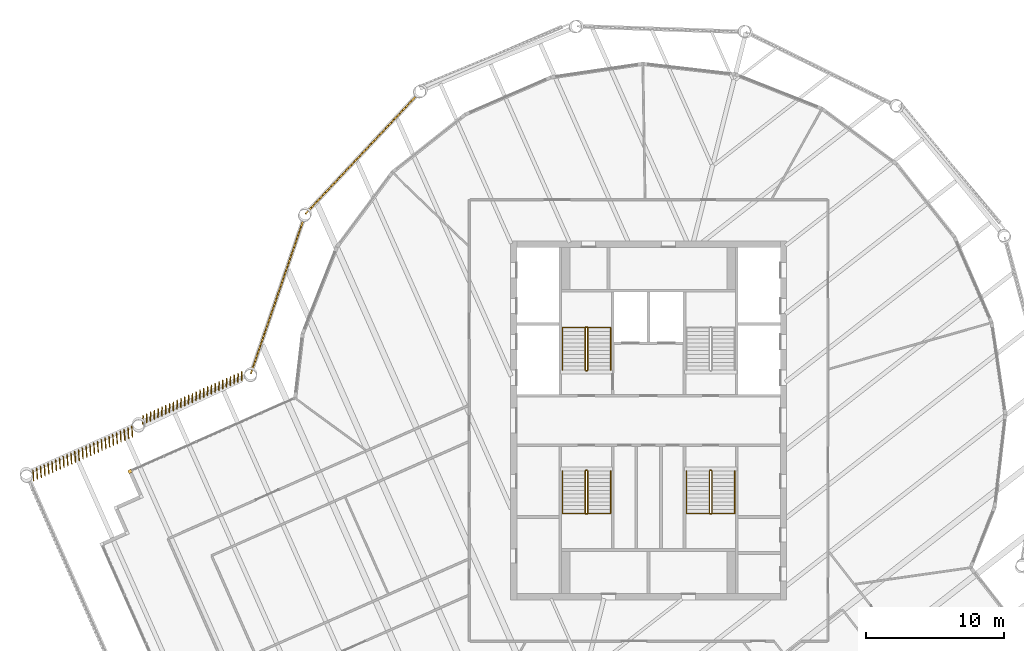
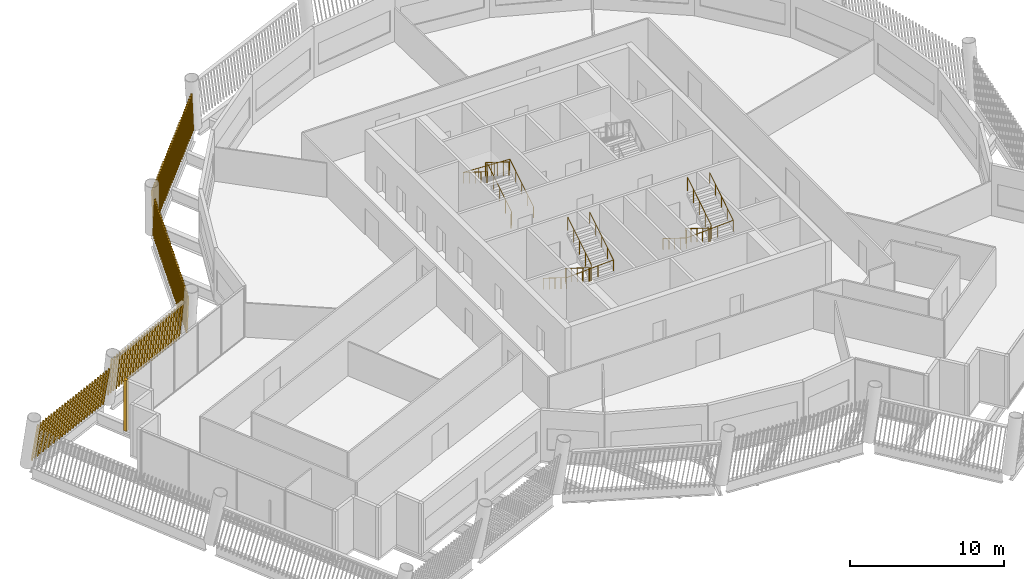
# One storey, part 25 of 28: 6 railings, 5 shading devices.
"""IFC4 building model written with IfcOpenShell, lengths in metres."""

import ifcopenshell
import ifcopenshell.guid

model = None  # the IFC model being written
_history = None  # IfcOwnerHistory: only IFC2X3 demands one
_inside = {}  # id of a spatial element -> (the spatial element, [elements in it])
_under = {}  # id of a project, library or spatial element -> (it, [spatial elements below it])
_declared = {}  # id of a project -> (the project, [libraries it declares])
_typed = {}  # id of a type object -> (the type object, [elements of that type])
_made_of = {}  # id of a material, layer set ... -> (it, [elements and type objects made of it])


def new_model(schema):
    """Start an empty IFC model of exactly this schema.

    Asked for "IFC4X3", IfcOpenShell would pick the latest addendum, in which some entities
    have other attributes; the version numbers below select the first issue.
    IFC2X3 requires an IfcOwnerHistory on every rooted entity: one is made here for all.
    """
    global model, _history
    if schema == "IFC4X3":
        model = ifcopenshell.file(schema_version=(4, 3, 0, 0))
    else:
        model = ifcopenshell.file(schema=schema)
    _inside.clear()
    _under.clear()
    _declared.clear()
    _typed.clear()
    _made_of.clear()
    _history = None
    if model.schema == "IFC2X3":
        org = make("IfcOrganization", Name="unknown")
        user = make(
            "IfcPersonAndOrganization",
            ThePerson=make("IfcPerson", FamilyName="unknown"),
            TheOrganization=org,
        )
        app = make(
            "IfcApplication",
            ApplicationDeveloper=org,
            Version="unknown",
            ApplicationFullName="unknown",
            ApplicationIdentifier="unknown",
        )
        _history = make(
            "IfcOwnerHistory",
            OwningUser=user,
            OwningApplication=app,
            ChangeAction="ADDED",
            CreationDate=0,
        )
    return model


def make(cls, **values):
    """One entity of the class cls with the attributes given. An attribute that is None is left unset."""
    return model.create_entity(
        cls, **{name: value for name, value in values.items() if value is not None}
    )


def rooted(cls, **values):
    """An entity with a GlobalId (a new one), such as an element, a storey or a relation."""
    return make(cls, GlobalId=ifcopenshell.guid.new(), OwnerHistory=_history, **values)


def si_unit(unit_type, name, prefix=None):
    """IfcSIUnit, for example si_unit("LENGTHUNIT", "METRE", prefix="MILLI")."""
    return make("IfcSIUnit", UnitType=unit_type, Prefix=prefix, Name=name)


def assignment(units):
    """IfcUnitAssignment: the units of a project."""
    return None if units is None else make("IfcUnitAssignment", Units=units)


def point(xyz):
    """IfcCartesianPoint."""
    return None if xyz is None else make("IfcCartesianPoint", Coordinates=xyz)


def direction(xyz):
    """IfcDirection."""
    return None if xyz is None else make("IfcDirection", DirectionRatios=xyz)


def frame(location, z_axis=None, x_axis=None):
    """IfcAxis2Placement3D, a coordinate frame: its origin and axes. An axis left out is left unset."""
    return make(
        "IfcAxis2Placement3D",
        Location=point(location),
        Axis=direction(z_axis),
        RefDirection=direction(x_axis),
    )


def frame_2d(location, x_axis=None):
    """IfcAxis2Placement2D, a coordinate frame in the plane: its origin and x axis."""
    return make(
        "IfcAxis2Placement2D", Location=point(location), RefDirection=direction(x_axis)
    )


def origin():
    """The frame at (0, 0, 0) with its axes left unset."""
    return frame((0.0, 0.0, 0.0))


def origin_2d():
    """The frame at (0, 0) in the plane with its x axis left unset."""
    return frame_2d((0.0, 0.0))


def place(relative_to, where):
    """IfcLocalPlacement: puts the frame where relative to a parent placement (None: the world)."""
    return make(
        "IfcLocalPlacement", PlacementRelTo=relative_to, RelativePlacement=where
    )


def context(
    kind, dimensions, precision=None, world=None, true_north=None, identifier=None
):
    """IfcGeometricRepresentationContext, for example the 3D "Model" context."""
    return make(
        "IfcGeometricRepresentationContext",
        ContextIdentifier=identifier,
        ContextType=kind,
        CoordinateSpaceDimension=dimensions,
        Precision=precision,
        WorldCoordinateSystem=world,
        TrueNorth=true_north,
    )


def subcontext(parent, identifier, kind, view, scale=None):
    """IfcGeometricRepresentationSubContext, for example "Body" below "Model"."""
    return make(
        "IfcGeometricRepresentationSubContext",
        ContextIdentifier=identifier,
        ContextType=kind,
        ParentContext=parent,
        TargetScale=scale,
        TargetView=view,
    )


def project(units=None, contexts=None):
    """IfcProject with its units and contexts."""
    return rooted(
        "IfcProject",
        Name="project",
        RepresentationContexts=contexts,
        UnitsInContext=assignment(units),
    )


def spatial(cls, under=None, at=None, **own):
    """A site, building, storey or space (cls), placed at a placement, below another one or the project."""
    s = rooted(cls, ObjectPlacement=at, **own)
    if under is not None:
        _under.setdefault(under.id(), (under, []))[1].append(s)
    return s


def profile(cls, at=None, kind="AREA", **sizes):
    """A parametric profile (cls). Its sizes go by their IFC names, for example OverallWidth=200.0."""
    return make(cls, ProfileType=kind, Position=at, **sizes)


def rectangle(**sizes):
    """IfcRectangleProfileDef."""
    return profile("IfcRectangleProfileDef", **sizes)


def circle(**sizes):
    """IfcCircleProfileDef."""
    return profile("IfcCircleProfileDef", **sizes)


def composite_profile(profiles, kind="AREA"):
    """IfcCompositeProfileDef: several profiles as one."""
    return make("IfcCompositeProfileDef", ProfileType=kind, Profiles=profiles)


def extrude(swept, where, along, depth):
    """IfcExtrudedAreaSolid: the profile swept, set in the frame where, extruded along a direction by depth."""
    return make(
        "IfcExtrudedAreaSolid",
        SweptArea=swept,
        Position=where,
        ExtrudedDirection=direction(along),
        Depth=depth,
    )


def shape(context_of_items, identifier, shape_type, items):
    """IfcShapeRepresentation: the items that make up one representation, for example the "Body"."""
    return make(
        "IfcShapeRepresentation",
        ContextOfItems=context_of_items,
        RepresentationIdentifier=identifier,
        RepresentationType=shape_type,
        Items=items,
    )


def material(Name=None, Category=None):
    """IfcMaterial."""
    return make("IfcMaterial", Name=Name, Category=Category)


def made_of(thing, what):
    """Note that an element or type object is made of a material, layer set ...; save() writes the relation."""
    if what is not None:
        _made_of.setdefault(what.id(), (what, []))[1].append(thing)
    return thing


def type_object(cls, material=None, **own):
    """A type object (cls), such as IfcWallType, which elements share."""
    return made_of(rooted(cls, **own), material)


def element(
    cls,
    number,
    at=None,
    inside=None,
    cuts=None,
    type_object=None,
    material=None,
    context=None,
    identifier="Body",
    shape_type=None,
    held_by="IfcProductDefinitionShape",
    body=None,
    shapes=None,
    **own,
):
    """One element of the class cls, such as IfcWall. Its Tag is "e" and its number.

    at: its placement. inside: the storey or other place that contains it. cuts: it is an
    opening in that element (IfcRelVoidsElement). A single representation is given by context,
    identifier, shape_type and body (its items); several are given by shapes. held_by: the class
    of the entity that holds the representations. save() writes the other relations.
    """
    e = rooted(cls, Tag="e%d" % number, ObjectPlacement=at, **own)
    if body is not None:
        shapes = [shape(context, identifier, shape_type, body)]
    if shapes is not None:
        e.Representation = make(held_by, Representations=shapes)
    if inside is not None:
        _inside.setdefault(inside.id(), (inside, []))[1].append(e)
    if cuts is not None:
        rooted(
            "IfcRelVoidsElement", RelatingBuildingElement=cuts, RelatedOpeningElement=e
        )
    if type_object is not None:
        _typed.setdefault(type_object.id(), (type_object, []))[1].append(e)
    return made_of(e, material)


def aggregate(whole, parts):
    """IfcRelAggregates: a whole, such as a stair, and the parts it consists of."""
    return rooted("IfcRelAggregates", RelatingObject=whole, RelatedObjects=parts)


def save(model, path):
    """Write the relations noted so far, then the file.

    IfcRelAggregates (storeys below a building ...), IfcRelContainedInSpatialStructure (elements
    in a storey), IfcRelDefinesByType, IfcRelAssociatesMaterial and IfcRelDeclares: one each for
    every whole, place, type object, material and project.
    """
    for whole, parts in _under.values():
        aggregate(whole, parts)
    for where, things in _inside.values():
        rooted(
            "IfcRelContainedInSpatialStructure",
            RelatedElements=things,
            RelatingStructure=where,
        )
    for kind, things in _typed.values():
        rooted("IfcRelDefinesByType", RelatedObjects=things, RelatingType=kind)
    for what, things in _made_of.values():
        rooted("IfcRelAssociatesMaterial", RelatedObjects=things, RelatingMaterial=what)
    for by, libraries in _declared.values():
        rooted("IfcRelDeclares", RelatingContext=by, RelatedDefinitions=libraries)
    model.write(path)


model = new_model("IFC4")

# Units and contexts
model_context = context("Model", 3, precision=1e-05, world=origin(), true_north=direction((0.0, 1.0)))
body_context = subcontext(model_context, "Body", "Model", "MODEL_VIEW")
ifc_project = project(units=[si_unit("LENGTHUNIT", "METRE"), si_unit("AREAUNIT", "SQUARE_METRE"), si_unit("VOLUMEUNIT", "CUBIC_METRE"), si_unit("PLANEANGLEUNIT", "RADIAN"), si_unit("MASSUNIT", "GRAM", prefix="KILO")], contexts=[model_context])

# Site, building, storey
site_placement = place(None, origin())
site = spatial("IfcSite", under=ifc_project, at=site_placement, CompositionType="ELEMENT")
building_placement = place(site_placement, origin())
building = spatial("IfcBuilding", under=site, at=building_placement, Name="Tarsis Ring Headquarters", CompositionType="ELEMENT")
storey_placement = place(building_placement, frame((0.0, 0.0, 381.800048828125)))
storey = spatial("IfcBuildingStorey", under=building, at=storey_placement, Name="L90", CompositionType="ELEMENT", Elevation=381.800048828125)

# Railings
ifc_material_1 = material(Name="Steel S355", Category="steel")
railing_type_1 = type_object("IfcRailingType", Name="Core stair guard 1100", PredefinedType="GUARDRAIL", material=ifc_material_1)
railing_1_placement = place(storey_placement, frame((-4.5400390625, 3.610107421875, 0.0)))
element("IfcRailing", 1, at=railing_1_placement, inside=storey, type_object=railing_type_1, Name="L90 ST1 stair guard 1", PredefinedType="GUARDRAIL", context=body_context, shape_type="SweptSolid", body=[
    extrude(circle(Radius=0.02392578125, at=origin_2d()), frame((0.0, 0.0, 1.076171875), z_axis=(1.0, 0.0, 0.0), x_axis=(0.0, 1.0, 0.0)), (0.0, 0.0, 1.0), 0.080078125),
    extrude(circle(Radius=0.02392578125, at=origin_2d()), frame((0.080078125, 0.0, 1.076171875), z_axis=(0.265155923931, 0.263862480399, 0.927399011991), x_axis=(-0.705375805398, 0.708833529934, 0.0)), (0.0, 0.0, 1.0), 0.188720703125),
    extrude(circle(Radius=0.02392578125, at=origin_2d()), frame((0.130126953125, 0.0498046875, 1.2509765625), z_axis=(0.0, 0.848028513186, 0.529950602248), x_axis=(-1.0, 0.0, 0.0)), (0.0, 0.0, 1.0), 3.632080078125),
    extrude(circle(Radius=0.02392578125, at=origin_2d()), frame((0.130126953125, 3.1298828125, 3.17578125), z_axis=(-0.707106781187, 0.707106781187, 0.0), x_axis=(-0.707106781187, -0.707106781187, 0.0)), (0.0, 0.0, 1.0), 0.07080078125),
    extrude(circle(Radius=0.02392578125, at=origin_2d()), frame((0.080078125, 3.179931640625, 3.17578125), z_axis=(-1.0, 0.0, 0.0), x_axis=(0.0, -1.0, 0.0)), (0.0, 0.0, 1.0), 0.080078125),
    extrude(circle(Radius=0.02392578125, at=origin_2d()), frame((0.0, 3.179931640625, 3.17578125), z_axis=(-0.265065253269, -0.265065253269, 0.927081885822), x_axis=(0.707106781187, -0.707106781187, 0.0)), (0.0, 0.0, 1.0), 0.188720703125),
    extrude(circle(Radius=0.02392578125, at=origin_2d()), frame((-0.050048828125, 3.1298828125, 3.35107421875), z_axis=(0.0, -0.847998304005, 0.529998940003), x_axis=(1.0, 0.0, 0.0)), (0.0, 0.0, 1.0), 3.632080078125),
    extrude(circle(Radius=0.02099609375, at=origin_2d()), origin(), (0.0, 0.0, 1.0), 1.052001953125),
    extrude(circle(Radius=0.02099609375, at=origin_2d()), frame((0.080078125, 0.0, 0.0)), (0.0, 0.0, 1.0), 1.052001953125),
    extrude(circle(Radius=0.02099609375, at=origin_2d()), frame((0.130126953125, 0.0498046875, 0.175048828125)), (0.0, 0.0, 1.0), 1.052001953125),
    extrude(circle(Radius=0.02099609375, at=origin_2d()), frame((0.130126953125, 0.81982421875, 0.65625)), (0.0, 0.0, 1.0), 1.052001953125),
    extrude(circle(Radius=0.02099609375, at=origin_2d()), frame((0.130126953125, 1.58984375, 1.137451171875)), (0.0, 0.0, 1.0), 1.052001953125),
    extrude(circle(Radius=0.02099609375, at=origin_2d()), frame((0.130126953125, 2.35986328125, 1.61865234375)), (0.0, 0.0, 1.0), 1.052001953125),
    extrude(circle(Radius=0.02099609375, at=origin_2d()), frame((0.130126953125, 3.1298828125, 2.099853515625)), (0.0, 0.0, 1.0), 1.052001953125),
    extrude(circle(Radius=0.02099609375, at=origin_2d()), frame((0.080078125, 3.179931640625, 2.099853515625)), (0.0, 0.0, 1.0), 1.052001953125),
    extrude(circle(Radius=0.02099609375, at=origin_2d()), frame((0.0, 3.179931640625, 2.099853515625)), (0.0, 0.0, 1.0), 1.052001953125),
    extrude(circle(Radius=0.02099609375, at=origin_2d()), frame((-0.050048828125, 3.1298828125, 2.27490234375)), (0.0, 0.0, 1.0), 1.052001953125),
    extrude(circle(Radius=0.02099609375, at=origin_2d()), frame((-0.050048828125, 2.35986328125, 2.756103515625)), (0.0, 0.0, 1.0), 1.052001953125),
    extrude(circle(Radius=0.02099609375, at=origin_2d()), frame((-0.050048828125, 1.58984375, 3.2373046875)), (0.0, 0.0, 1.0), 1.052001953125),
    extrude(circle(Radius=0.02099609375, at=origin_2d()), frame((-0.050048828125, 0.81982421875, 3.71875)), (0.0, 0.0, 1.0), 1.052001953125),
    extrude(circle(Radius=0.02099609375, at=origin_2d()), frame((-0.050048828125, 0.0498046875, 4.199951171875)), (0.0, 0.0, 1.0), 1.052001953125),
])
railing_2_placement = place(storey_placement, frame((-4.4599609375, -3.610107421875, 0.0)))
element("IfcRailing", 2, at=railing_2_placement, inside=storey, type_object=railing_type_1, Name="L90 ST3 stair guard 1", PredefinedType="GUARDRAIL", context=body_context, shape_type="SweptSolid", body=[
    extrude(circle(Radius=0.02392578125, at=origin_2d()), frame((0.0, 0.0, 1.076171875), z_axis=(-1.0, 0.0, 0.0), x_axis=(0.0, -1.0, 0.0)), (0.0, 0.0, 1.0), 0.080078125),
    extrude(circle(Radius=0.02392578125, at=origin_2d()), frame((-0.080078125, 0.0, 1.076171875), z_axis=(-0.265155923931, -0.263862480399, 0.927399011991), x_axis=(0.705375805398, -0.708833529934, 0.0)), (0.0, 0.0, 1.0), 0.188720703125),
    extrude(circle(Radius=0.02392578125, at=origin_2d()), frame((-0.130126953125, -0.0498046875, 1.2509765625), z_axis=(0.0, -0.848028513186, 0.529950602248), x_axis=(1.0, 0.0, 0.0)), (0.0, 0.0, 1.0), 3.632080078125),
    extrude(circle(Radius=0.02392578125, at=origin_2d()), frame((-0.130126953125, -3.1298828125, 3.17578125), z_axis=(0.707106781187, -0.707106781187, 0.0), x_axis=(0.707106781187, 0.707106781187, 0.0)), (0.0, 0.0, 1.0), 0.07080078125),
    extrude(circle(Radius=0.02392578125, at=origin_2d()), frame((-0.080078125, -3.179931640625, 3.17578125), z_axis=(1.0, 0.0, 0.0), x_axis=(0.0, 1.0, 0.0)), (0.0, 0.0, 1.0), 0.080078125),
    extrude(circle(Radius=0.02392578125, at=origin_2d()), frame((0.0, -3.179931640625, 3.17578125), z_axis=(0.265065253269, 0.265065253269, 0.927081885822), x_axis=(-0.707106781187, 0.707106781187, 0.0)), (0.0, 0.0, 1.0), 0.188720703125),
    extrude(circle(Radius=0.02392578125, at=origin_2d()), frame((0.050048828125, -3.1298828125, 3.35107421875), z_axis=(0.0, 0.847998304005, 0.529998940003), x_axis=(-1.0, 0.0, 0.0)), (0.0, 0.0, 1.0), 3.632080078125),
    extrude(circle(Radius=0.02099609375, at=origin_2d()), origin(), (0.0, 0.0, 1.0), 1.052001953125),
    extrude(circle(Radius=0.02099609375, at=origin_2d()), frame((-0.080078125, 0.0, 0.0)), (0.0, 0.0, 1.0), 1.052001953125),
    extrude(circle(Radius=0.02099609375, at=origin_2d()), frame((-0.130126953125, -0.0498046875, 0.175048828125)), (0.0, 0.0, 1.0), 1.052001953125),
    extrude(circle(Radius=0.02099609375, at=origin_2d()), frame((-0.130126953125, -0.81982421875, 0.65625)), (0.0, 0.0, 1.0), 1.052001953125),
    extrude(circle(Radius=0.02099609375, at=origin_2d()), frame((-0.130126953125, -1.58984375, 1.137451171875)), (0.0, 0.0, 1.0), 1.052001953125),
    extrude(circle(Radius=0.02099609375, at=origin_2d()), frame((-0.130126953125, -2.35986328125, 1.61865234375)), (0.0, 0.0, 1.0), 1.052001953125),
    extrude(circle(Radius=0.02099609375, at=origin_2d()), frame((-0.130126953125, -3.1298828125, 2.099853515625)), (0.0, 0.0, 1.0), 1.052001953125),
    extrude(circle(Radius=0.02099609375, at=origin_2d()), frame((-0.080078125, -3.179931640625, 2.099853515625)), (0.0, 0.0, 1.0), 1.052001953125),
    extrude(circle(Radius=0.02099609375, at=origin_2d()), frame((0.0, -3.179931640625, 2.099853515625)), (0.0, 0.0, 1.0), 1.052001953125),
    extrude(circle(Radius=0.02099609375, at=origin_2d()), frame((0.050048828125, -3.1298828125, 2.27490234375)), (0.0, 0.0, 1.0), 1.052001953125),
    extrude(circle(Radius=0.02099609375, at=origin_2d()), frame((0.050048828125, -2.35986328125, 2.756103515625)), (0.0, 0.0, 1.0), 1.052001953125),
    extrude(circle(Radius=0.02099609375, at=origin_2d()), frame((0.050048828125, -1.58984375, 3.2373046875)), (0.0, 0.0, 1.0), 1.052001953125),
    extrude(circle(Radius=0.02099609375, at=origin_2d()), frame((0.050048828125, -0.81982421875, 3.71875)), (0.0, 0.0, 1.0), 1.052001953125),
    extrude(circle(Radius=0.02099609375, at=origin_2d()), frame((0.050048828125, -0.0498046875, 4.199951171875)), (0.0, 0.0, 1.0), 1.052001953125),
])
railing_3_placement = place(storey_placement, frame((4.5400390625, -3.610107421875, 0.0)))
element("IfcRailing", 3, at=railing_3_placement, inside=storey, type_object=railing_type_1, Name="L90 ST4 stair guard 1", PredefinedType="GUARDRAIL", context=body_context, shape_type="SweptSolid", body=[
    extrude(circle(Radius=0.02392578125, at=origin_2d()), frame((0.0, 0.0, 1.076171875), z_axis=(-1.0, 0.0, 0.0), x_axis=(0.0, -1.0, 0.0)), (0.0, 0.0, 1.0), 0.080078125),
    extrude(circle(Radius=0.02392578125, at=origin_2d()), frame((-0.080078125, 0.0, 1.076171875), z_axis=(-0.265155923931, -0.263862480399, 0.927399011991), x_axis=(0.705375805398, -0.708833529934, 0.0)), (0.0, 0.0, 1.0), 0.188720703125),
    extrude(circle(Radius=0.02392578125, at=origin_2d()), frame((-0.130126953125, -0.0498046875, 1.2509765625), z_axis=(0.0, -0.848028513186, 0.529950602248), x_axis=(1.0, 0.0, 0.0)), (0.0, 0.0, 1.0), 3.632080078125),
    extrude(circle(Radius=0.02392578125, at=origin_2d()), frame((-0.130126953125, -3.1298828125, 3.17578125), z_axis=(0.707106781187, -0.707106781187, 0.0), x_axis=(0.707106781187, 0.707106781187, 0.0)), (0.0, 0.0, 1.0), 0.07080078125),
    extrude(circle(Radius=0.02392578125, at=origin_2d()), frame((-0.080078125, -3.179931640625, 3.17578125), z_axis=(1.0, 0.0, 0.0), x_axis=(0.0, 1.0, 0.0)), (0.0, 0.0, 1.0), 0.080078125),
    extrude(circle(Radius=0.02392578125, at=origin_2d()), frame((0.0, -3.179931640625, 3.17578125), z_axis=(0.265065253269, 0.265065253269, 0.927081885822), x_axis=(-0.707106781187, 0.707106781187, 0.0)), (0.0, 0.0, 1.0), 0.188720703125),
    extrude(circle(Radius=0.02392578125, at=origin_2d()), frame((0.050048828125, -3.1298828125, 3.35107421875), z_axis=(0.0, 0.847998304005, 0.529998940003), x_axis=(-1.0, 0.0, 0.0)), (0.0, 0.0, 1.0), 3.632080078125),
    extrude(circle(Radius=0.02099609375, at=origin_2d()), origin(), (0.0, 0.0, 1.0), 1.052001953125),
    extrude(circle(Radius=0.02099609375, at=origin_2d()), frame((-0.080078125, 0.0, 0.0)), (0.0, 0.0, 1.0), 1.052001953125),
    extrude(circle(Radius=0.02099609375, at=origin_2d()), frame((-0.130126953125, -0.0498046875, 0.175048828125)), (0.0, 0.0, 1.0), 1.052001953125),
    extrude(circle(Radius=0.02099609375, at=origin_2d()), frame((-0.130126953125, -0.81982421875, 0.65625)), (0.0, 0.0, 1.0), 1.052001953125),
    extrude(circle(Radius=0.02099609375, at=origin_2d()), frame((-0.130126953125, -1.58984375, 1.137451171875)), (0.0, 0.0, 1.0), 1.052001953125),
    extrude(circle(Radius=0.02099609375, at=origin_2d()), frame((-0.130126953125, -2.35986328125, 1.61865234375)), (0.0, 0.0, 1.0), 1.052001953125),
    extrude(circle(Radius=0.02099609375, at=origin_2d()), frame((-0.130126953125, -3.1298828125, 2.099853515625)), (0.0, 0.0, 1.0), 1.052001953125),
    extrude(circle(Radius=0.02099609375, at=origin_2d()), frame((-0.080078125, -3.179931640625, 2.099853515625)), (0.0, 0.0, 1.0), 1.052001953125),
    extrude(circle(Radius=0.02099609375, at=origin_2d()), frame((0.0, -3.179931640625, 2.099853515625)), (0.0, 0.0, 1.0), 1.052001953125),
    extrude(circle(Radius=0.02099609375, at=origin_2d()), frame((0.050048828125, -3.1298828125, 2.27490234375)), (0.0, 0.0, 1.0), 1.052001953125),
    extrude(circle(Radius=0.02099609375, at=origin_2d()), frame((0.050048828125, -2.35986328125, 2.756103515625)), (0.0, 0.0, 1.0), 1.052001953125),
    extrude(circle(Radius=0.02099609375, at=origin_2d()), frame((0.050048828125, -1.58984375, 3.2373046875)), (0.0, 0.0, 1.0), 1.052001953125),
    extrude(circle(Radius=0.02099609375, at=origin_2d()), frame((0.050048828125, -0.81982421875, 3.71875)), (0.0, 0.0, 1.0), 1.052001953125),
    extrude(circle(Radius=0.02099609375, at=origin_2d()), frame((0.050048828125, -0.0498046875, 4.199951171875)), (0.0, 0.0, 1.0), 1.052001953125),
])
railing_type_2 = type_object("IfcRailingType", Name="Core stair handrail 900", PredefinedType="HANDRAIL", material=ifc_material_1)
railing_4_placement = place(storey_placement, frame((-2.75, 3.659912109375, 0.175048828125)))
element("IfcRailing", 4, at=railing_4_placement, inside=storey, type_object=railing_type_2, Name="L90 ST1 stair handrail 1", PredefinedType="HANDRAIL", context=body_context, shape_type="SweptSolid", body=[
    extrude(circle(Radius=0.02392578125, at=origin_2d()), frame((0.0, 0.0, 0.8759765625), z_axis=(0.0, 0.848028513186, 0.529950602248), x_axis=(-1.0, 0.0, 0.0)), (0.0, 0.0, 1.0), 3.632080078125),
    extrude(circle(Radius=0.02392578125, at=origin_2d()), frame((0.0, 3.080078125, 2.80078125), z_axis=(-0.998751643845, 0.0, 0.049951515669), x_axis=(0.0, -1.0, 0.0)), (0.0, 0.0, 1.0), 3.50439453125),
    extrude(circle(Radius=0.02392578125, at=origin_2d()), frame((-3.5, 3.080078125, 2.9755859375), z_axis=(0.0, -0.847998304005, 0.529998940003), x_axis=(1.0, 0.0, 0.0)), (0.0, 0.0, 1.0), 3.632080078125),
    extrude(circle(Radius=0.02099609375, at=origin_2d()), origin(), (0.0, 0.0, 1.0), 0.851806640625),
    extrude(circle(Radius=0.02099609375, at=origin_2d()), frame((0.0, 0.77001953125, 0.481201171875)), (0.0, 0.0, 1.0), 0.851806640625),
    extrude(circle(Radius=0.02099609375, at=origin_2d()), frame((0.0, 1.5400390625, 0.96240234375)), (0.0, 0.0, 1.0), 0.851806640625),
    extrude(circle(Radius=0.02099609375, at=origin_2d()), frame((0.0, 2.31005859375, 1.443603515625)), (0.0, 0.0, 1.0), 0.851806640625),
    extrude(circle(Radius=0.02099609375, at=origin_2d()), frame((0.0, 3.080078125, 1.9248046875)), (0.0, 0.0, 1.0), 0.851806640625),
    extrude(circle(Radius=0.02099609375, at=origin_2d()), frame((-1.166748046875, 3.080078125, 1.983154296875)), (0.0, 0.0, 1.0), 0.851806640625),
    extrude(circle(Radius=0.02099609375, at=origin_2d()), frame((-2.333251953125, 3.080078125, 2.04150390625)), (0.0, 0.0, 1.0), 0.851806640625),
    extrude(circle(Radius=0.02099609375, at=origin_2d()), frame((-3.5, 3.080078125, 2.099853515625)), (0.0, 0.0, 1.0), 0.851806640625),
    extrude(circle(Radius=0.02099609375, at=origin_2d()), frame((-3.5, 2.31005859375, 2.5810546875)), (0.0, 0.0, 1.0), 0.851806640625),
    extrude(circle(Radius=0.02099609375, at=origin_2d()), frame((-3.5, 1.5400390625, 3.0625)), (0.0, 0.0, 1.0), 0.851806640625),
    extrude(circle(Radius=0.02099609375, at=origin_2d()), frame((-3.5, 0.77001953125, 3.543701171875)), (0.0, 0.0, 1.0), 0.851806640625),
    extrude(circle(Radius=0.02099609375, at=origin_2d()), frame((-3.5, 0.0, 4.02490234375)), (0.0, 0.0, 1.0), 0.851806640625),
])
railing_5_placement = place(storey_placement, frame((-6.25, -3.659912109375, 0.175048828125)))
element("IfcRailing", 5, at=railing_5_placement, inside=storey, type_object=railing_type_2, Name="L90 ST3 stair handrail 1", PredefinedType="HANDRAIL", context=body_context, shape_type="SweptSolid", body=[
    extrude(circle(Radius=0.02392578125, at=origin_2d()), frame((0.0, 0.0, 0.8759765625), z_axis=(0.0, -0.848028513186, 0.529950602248), x_axis=(1.0, 0.0, 0.0)), (0.0, 0.0, 1.0), 3.632080078125),
    extrude(circle(Radius=0.02392578125, at=origin_2d()), frame((0.0, -3.080078125, 2.80078125), z_axis=(0.998751643845, 0.0, 0.049951515669), x_axis=(0.0, 1.0, 0.0)), (0.0, 0.0, 1.0), 3.50439453125),
    extrude(circle(Radius=0.02392578125, at=origin_2d()), frame((3.5, -3.080078125, 2.9755859375), z_axis=(0.0, 0.847998304005, 0.529998940003), x_axis=(-1.0, 0.0, 0.0)), (0.0, 0.0, 1.0), 3.632080078125),
    extrude(circle(Radius=0.02099609375, at=origin_2d()), origin(), (0.0, 0.0, 1.0), 0.851806640625),
    extrude(circle(Radius=0.02099609375, at=origin_2d()), frame((0.0, -0.77001953125, 0.481201171875)), (0.0, 0.0, 1.0), 0.851806640625),
    extrude(circle(Radius=0.02099609375, at=origin_2d()), frame((0.0, -1.5400390625, 0.96240234375)), (0.0, 0.0, 1.0), 0.851806640625),
    extrude(circle(Radius=0.02099609375, at=origin_2d()), frame((0.0, -2.31005859375, 1.443603515625)), (0.0, 0.0, 1.0), 0.851806640625),
    extrude(circle(Radius=0.02099609375, at=origin_2d()), frame((0.0, -3.080078125, 1.9248046875)), (0.0, 0.0, 1.0), 0.851806640625),
    extrude(circle(Radius=0.02099609375, at=origin_2d()), frame((1.166748046875, -3.080078125, 1.983154296875)), (0.0, 0.0, 1.0), 0.851806640625),
    extrude(circle(Radius=0.02099609375, at=origin_2d()), frame((2.333251953125, -3.080078125, 2.04150390625)), (0.0, 0.0, 1.0), 0.851806640625),
    extrude(circle(Radius=0.02099609375, at=origin_2d()), frame((3.5, -3.080078125, 2.099853515625)), (0.0, 0.0, 1.0), 0.851806640625),
    extrude(circle(Radius=0.02099609375, at=origin_2d()), frame((3.5, -2.31005859375, 2.5810546875)), (0.0, 0.0, 1.0), 0.851806640625),
    extrude(circle(Radius=0.02099609375, at=origin_2d()), frame((3.5, -1.5400390625, 3.0625)), (0.0, 0.0, 1.0), 0.851806640625),
    extrude(circle(Radius=0.02099609375, at=origin_2d()), frame((3.5, -0.77001953125, 3.543701171875)), (0.0, 0.0, 1.0), 0.851806640625),
    extrude(circle(Radius=0.02099609375, at=origin_2d()), frame((3.5, 0.0, 4.02490234375)), (0.0, 0.0, 1.0), 0.851806640625),
])
railing_6_placement = place(storey_placement, frame((2.75, -3.659912109375, 0.175048828125)))
element("IfcRailing", 6, at=railing_6_placement, inside=storey, type_object=railing_type_2, Name="L90 ST4 stair handrail 1", PredefinedType="HANDRAIL", context=body_context, shape_type="SweptSolid", body=[
    extrude(circle(Radius=0.02392578125, at=origin_2d()), frame((0.0, 0.0, 0.8759765625), z_axis=(0.0, -0.848028513186, 0.529950602248), x_axis=(1.0, 0.0, 0.0)), (0.0, 0.0, 1.0), 3.632080078125),
    extrude(circle(Radius=0.02392578125, at=origin_2d()), frame((0.0, -3.080078125, 2.80078125), z_axis=(0.998751643845, 0.0, 0.049951515669), x_axis=(0.0, 1.0, 0.0)), (0.0, 0.0, 1.0), 3.50439453125),
    extrude(circle(Radius=0.02392578125, at=origin_2d()), frame((3.5, -3.080078125, 2.9755859375), z_axis=(0.0, 0.847998304005, 0.529998940003), x_axis=(-1.0, 0.0, 0.0)), (0.0, 0.0, 1.0), 3.632080078125),
    extrude(circle(Radius=0.02099609375, at=origin_2d()), origin(), (0.0, 0.0, 1.0), 0.851806640625),
    extrude(circle(Radius=0.02099609375, at=origin_2d()), frame((0.0, -0.77001953125, 0.481201171875)), (0.0, 0.0, 1.0), 0.851806640625),
    extrude(circle(Radius=0.02099609375, at=origin_2d()), frame((0.0, -1.5400390625, 0.96240234375)), (0.0, 0.0, 1.0), 0.851806640625),
    extrude(circle(Radius=0.02099609375, at=origin_2d()), frame((0.0, -2.31005859375, 1.443603515625)), (0.0, 0.0, 1.0), 0.851806640625),
    extrude(circle(Radius=0.02099609375, at=origin_2d()), frame((0.0, -3.080078125, 1.9248046875)), (0.0, 0.0, 1.0), 0.851806640625),
    extrude(circle(Radius=0.02099609375, at=origin_2d()), frame((1.166748046875, -3.080078125, 1.983154296875)), (0.0, 0.0, 1.0), 0.851806640625),
    extrude(circle(Radius=0.02099609375, at=origin_2d()), frame((2.333251953125, -3.080078125, 2.04150390625)), (0.0, 0.0, 1.0), 0.851806640625),
    extrude(circle(Radius=0.02099609375, at=origin_2d()), frame((3.5, -3.080078125, 2.099853515625)), (0.0, 0.0, 1.0), 0.851806640625),
    extrude(circle(Radius=0.02099609375, at=origin_2d()), frame((3.5, -2.31005859375, 2.5810546875)), (0.0, 0.0, 1.0), 0.851806640625),
    extrude(circle(Radius=0.02099609375, at=origin_2d()), frame((3.5, -1.5400390625, 3.0625)), (0.0, 0.0, 1.0), 0.851806640625),
    extrude(circle(Radius=0.02099609375, at=origin_2d()), frame((3.5, -0.77001953125, 3.543701171875)), (0.0, 0.0, 1.0), 0.851806640625),
    extrude(circle(Radius=0.02099609375, at=origin_2d()), frame((3.5, 0.0, 4.02490234375)), (0.0, 0.0, 1.0), 0.851806640625),
])

# Shading devices
ifc_material_2 = material(Name="Terracotta baguette", Category="masonry")
shading_device_type_1 = type_object("IfcShadingDeviceType", Name="Terracotta baguette screen", PredefinedType="USERDEFINED", material=ifc_material_2)
shading_device_1_placement = place(storey_placement, frame((-16.839599609375, 23.545166015625, 0.0), z_axis=(0.0, 0.0, 1.0), x_axis=(-0.684839934889, -0.728703201302, 0.0)))
element("IfcShadingDevice", 7, at=shading_device_1_placement, inside=storey, type_object=shading_device_type_1, Name="Baguette screen L90-11", ObjectType="Terracotta baguette screen", PredefinedType="USERDEFINED", context=body_context, shape_type="SweptSolid", body=[
    extrude(composite_profile([rectangle(XDim=0.06005859375, YDim=0.1201171875, at=frame_2d((0.030029296875, 0.0))), rectangle(XDim=0.06005859375, YDim=0.1201171875, at=frame_2d((0.33251953125, 0.0))), rectangle(XDim=0.06005859375, YDim=0.1201171875, at=frame_2d((0.634765625, 0.0))), rectangle(XDim=0.06005859375, YDim=0.1201171875, at=frame_2d((0.937255859375, 0.0))), rectangle(XDim=0.06005859375, YDim=0.1201171875, at=frame_2d((1.239501953125, 0.0))), rectangle(XDim=0.06005859375, YDim=0.1201171875, at=frame_2d((1.5419921875, 0.0))), rectangle(XDim=0.06005859375, YDim=0.1201171875, at=frame_2d((1.844482421875, 0.0))), rectangle(XDim=0.06005859375, YDim=0.1201171875, at=frame_2d((2.146728515625, 0.0))), rectangle(XDim=0.06005859375, YDim=0.1201171875, at=frame_2d((2.44921875, 0.0))), rectangle(XDim=0.06005859375, YDim=0.1201171875, at=frame_2d((2.751708984375, 0.0))), rectangle(XDim=0.06005859375, YDim=0.1201171875, at=frame_2d((3.053955078125, 0.0))), rectangle(XDim=0.06005859375, YDim=0.1201171875, at=frame_2d((3.3564453125, 0.0))), rectangle(XDim=0.06005859375, YDim=0.1201171875, at=frame_2d((3.65869140625, 0.0))), rectangle(XDim=0.06005859375, YDim=0.1201171875, at=frame_2d((3.961181640625, 0.0))), rectangle(XDim=0.06005859375, YDim=0.1201171875, at=frame_2d((4.263671875, 0.0))), rectangle(XDim=0.06005859375, YDim=0.1201171875, at=frame_2d((4.56591796875, 0.0))), rectangle(XDim=0.06005859375, YDim=0.1201171875, at=frame_2d((4.868408203125, 0.0))), rectangle(XDim=0.06005859375, YDim=0.1201171875, at=frame_2d((5.1708984375, 0.0))), rectangle(XDim=0.06005859375, YDim=0.1201171875, at=frame_2d((5.47314453125, 0.0))), rectangle(XDim=0.06005859375, YDim=0.1201171875, at=frame_2d((5.775634765625, 0.0))), rectangle(XDim=0.06005859375, YDim=0.1201171875, at=frame_2d((6.077880859375, 0.0))), rectangle(XDim=0.06005859375, YDim=0.1201171875, at=frame_2d((6.38037109375, 0.0))), rectangle(XDim=0.06005859375, YDim=0.1201171875, at=frame_2d((6.682861328125, 0.0))), rectangle(XDim=0.06005859375, YDim=0.1201171875, at=frame_2d((6.985107421875, 0.0))), rectangle(XDim=0.06005859375, YDim=0.1201171875, at=frame_2d((7.28759765625, 0.0))), rectangle(XDim=0.06005859375, YDim=0.1201171875, at=frame_2d((7.590087890625, 0.0))), rectangle(XDim=0.06005859375, YDim=0.1201171875, at=frame_2d((7.892333984375, 0.0))), rectangle(XDim=0.06005859375, YDim=0.1201171875, at=frame_2d((8.19482421875, 0.0))), rectangle(XDim=0.06005859375, YDim=0.1201171875, at=frame_2d((8.4970703125, 0.0))), rectangle(XDim=0.06005859375, YDim=0.1201171875, at=frame_2d((8.799560546875, 0.0))), rectangle(XDim=0.06005859375, YDim=0.1201171875, at=frame_2d((9.10205078125, 0.0))), rectangle(XDim=0.06005859375, YDim=0.1201171875, at=frame_2d((9.404296875, 0.0))), rectangle(XDim=0.06005859375, YDim=0.1201171875, at=frame_2d((9.706787109375, 0.0))), rectangle(XDim=0.06005859375, YDim=0.1201171875, at=frame_2d((10.00927734375, 0.0))), rectangle(XDim=0.06005859375, YDim=0.1201171875, at=frame_2d((10.3115234375, 0.0))), rectangle(XDim=0.06005859375, YDim=0.1201171875, at=frame_2d((10.614013671875, 0.0))), rectangle(XDim=0.06005859375, YDim=0.1201171875, at=frame_2d((10.916259765625, 0.0))), rectangle(XDim=0.06005859375, YDim=0.1201171875, at=frame_2d((11.21875, 0.0)))]), origin(), (0.155203896614, 0.001405507518, 0.987881457982), 3.32080078125),
])
shading_device_2_placement = place(storey_placement, frame((-25.047607421875, 14.5107421875, 0.0), z_axis=(0.0, 0.0, 1.0), x_axis=(-0.323602821487, -0.946196418882, 0.0)))
element("IfcShadingDevice", 8, at=shading_device_2_placement, inside=storey, type_object=shading_device_type_1, Name="Baguette screen L90-12", ObjectType="Terracotta baguette screen", PredefinedType="USERDEFINED", context=body_context, shape_type="SweptSolid", body=[
    extrude(composite_profile([rectangle(XDim=0.06005859375, YDim=0.1201171875, at=frame_2d((0.030029296875, 0.0))), rectangle(XDim=0.06005859375, YDim=0.1201171875, at=frame_2d((0.33251953125, 0.0))), rectangle(XDim=0.06005859375, YDim=0.1201171875, at=frame_2d((0.634765625, 0.0))), rectangle(XDim=0.06005859375, YDim=0.1201171875, at=frame_2d((0.937255859375, 0.0))), rectangle(XDim=0.06005859375, YDim=0.1201171875, at=frame_2d((1.239501953125, 0.0))), rectangle(XDim=0.06005859375, YDim=0.1201171875, at=frame_2d((1.5419921875, 0.0))), rectangle(XDim=0.06005859375, YDim=0.1201171875, at=frame_2d((1.844482421875, 0.0))), rectangle(XDim=0.06005859375, YDim=0.1201171875, at=frame_2d((2.146728515625, 0.0))), rectangle(XDim=0.06005859375, YDim=0.1201171875, at=frame_2d((2.44921875, 0.0))), rectangle(XDim=0.06005859375, YDim=0.1201171875, at=frame_2d((2.751708984375, 0.0))), rectangle(XDim=0.06005859375, YDim=0.1201171875, at=frame_2d((3.053955078125, 0.0))), rectangle(XDim=0.06005859375, YDim=0.1201171875, at=frame_2d((3.3564453125, 0.0))), rectangle(XDim=0.06005859375, YDim=0.1201171875, at=frame_2d((3.65869140625, 0.0))), rectangle(XDim=0.06005859375, YDim=0.1201171875, at=frame_2d((3.961181640625, 0.0))), rectangle(XDim=0.06005859375, YDim=0.1201171875, at=frame_2d((4.263671875, 0.0))), rectangle(XDim=0.06005859375, YDim=0.1201171875, at=frame_2d((4.56591796875, 0.0))), rectangle(XDim=0.06005859375, YDim=0.1201171875, at=frame_2d((4.868408203125, 0.0))), rectangle(XDim=0.06005859375, YDim=0.1201171875, at=frame_2d((5.1708984375, 0.0))), rectangle(XDim=0.06005859375, YDim=0.1201171875, at=frame_2d((5.47314453125, 0.0))), rectangle(XDim=0.06005859375, YDim=0.1201171875, at=frame_2d((5.775634765625, 0.0))), rectangle(XDim=0.06005859375, YDim=0.1201171875, at=frame_2d((6.077880859375, 0.0))), rectangle(XDim=0.06005859375, YDim=0.1201171875, at=frame_2d((6.38037109375, 0.0))), rectangle(XDim=0.06005859375, YDim=0.1201171875, at=frame_2d((6.682861328125, 0.0))), rectangle(XDim=0.06005859375, YDim=0.1201171875, at=frame_2d((6.985107421875, 0.0))), rectangle(XDim=0.06005859375, YDim=0.1201171875, at=frame_2d((7.28759765625, 0.0))), rectangle(XDim=0.06005859375, YDim=0.1201171875, at=frame_2d((7.590087890625, 0.0))), rectangle(XDim=0.06005859375, YDim=0.1201171875, at=frame_2d((7.892333984375, 0.0))), rectangle(XDim=0.06005859375, YDim=0.1201171875, at=frame_2d((8.19482421875, 0.0))), rectangle(XDim=0.06005859375, YDim=0.1201171875, at=frame_2d((8.4970703125, 0.0))), rectangle(XDim=0.06005859375, YDim=0.1201171875, at=frame_2d((8.799560546875, 0.0))), rectangle(XDim=0.06005859375, YDim=0.1201171875, at=frame_2d((9.10205078125, 0.0))), rectangle(XDim=0.06005859375, YDim=0.1201171875, at=frame_2d((9.404296875, 0.0))), rectangle(XDim=0.06005859375, YDim=0.1201171875, at=frame_2d((9.706787109375, 0.0))), rectangle(XDim=0.06005859375, YDim=0.1201171875, at=frame_2d((10.00927734375, 0.0))), rectangle(XDim=0.06005859375, YDim=0.1201171875, at=frame_2d((10.3115234375, 0.0))), rectangle(XDim=0.06005859375, YDim=0.1201171875, at=frame_2d((10.614013671875, 0.0))), rectangle(XDim=0.06005859375, YDim=0.1201171875, at=frame_2d((10.916259765625, 0.0))), rectangle(XDim=0.06005859375, YDim=0.1201171875, at=frame_2d((11.21875, 0.0)))]), origin(), (0.15520349206, 0.001407586942, 0.98788151858), 3.32080078125),
])
shading_device_3_placement = place(storey_placement, frame((-29.458740234375, 3.5341796875, 0.0), z_axis=(0.0, 0.0, 1.0), x_axis=(-0.91411005036, -0.405474711898, 0.0)))
element("IfcShadingDevice", 9, at=shading_device_3_placement, inside=storey, type_object=shading_device_type_1, Name="Baguette screen L90-13", ObjectType="Terracotta baguette screen", PredefinedType="USERDEFINED", context=body_context, shape_type="SweptSolid", body=[
    extrude(composite_profile([rectangle(XDim=0.06005859375, YDim=0.1201171875, at=frame_2d((0.030029296875, 0.0))), rectangle(XDim=0.06005859375, YDim=0.1201171875, at=frame_2d((0.33154296875, 0.0))), rectangle(XDim=0.06005859375, YDim=0.1201171875, at=frame_2d((0.63330078125, 0.0))), rectangle(XDim=0.06005859375, YDim=0.1201171875, at=frame_2d((0.934814453125, 0.0))), rectangle(XDim=0.06005859375, YDim=0.1201171875, at=frame_2d((1.236572265625, 0.0))), rectangle(XDim=0.06005859375, YDim=0.1201171875, at=frame_2d((1.5380859375, 0.0))), rectangle(XDim=0.06005859375, YDim=0.1201171875, at=frame_2d((1.83984375, 0.0))), rectangle(XDim=0.06005859375, YDim=0.1201171875, at=frame_2d((2.141357421875, 0.0))), rectangle(XDim=0.06005859375, YDim=0.1201171875, at=frame_2d((2.443115234375, 0.0))), rectangle(XDim=0.06005859375, YDim=0.1201171875, at=frame_2d((2.74462890625, 0.0))), rectangle(XDim=0.06005859375, YDim=0.1201171875, at=frame_2d((3.04638671875, 0.0))), rectangle(XDim=0.06005859375, YDim=0.1201171875, at=frame_2d((3.347900390625, 0.0))), rectangle(XDim=0.06005859375, YDim=0.1201171875, at=frame_2d((3.649658203125, 0.0))), rectangle(XDim=0.06005859375, YDim=0.1201171875, at=frame_2d((3.951171875, 0.0))), rectangle(XDim=0.06005859375, YDim=0.1201171875, at=frame_2d((4.252685546875, 0.0))), rectangle(XDim=0.06005859375, YDim=0.1201171875, at=frame_2d((4.554443359375, 0.0))), rectangle(XDim=0.06005859375, YDim=0.1201171875, at=frame_2d((4.85595703125, 0.0))), rectangle(XDim=0.06005859375, YDim=0.1201171875, at=frame_2d((5.15771484375, 0.0))), rectangle(XDim=0.06005859375, YDim=0.1201171875, at=frame_2d((5.459228515625, 0.0))), rectangle(XDim=0.06005859375, YDim=0.1201171875, at=frame_2d((5.760986328125, 0.0))), rectangle(XDim=0.06005859375, YDim=0.1201171875, at=frame_2d((6.0625, 0.0))), rectangle(XDim=0.06005859375, YDim=0.1201171875, at=frame_2d((6.3642578125, 0.0))), rectangle(XDim=0.06005859375, YDim=0.1201171875, at=frame_2d((6.665771484375, 0.0))), rectangle(XDim=0.06005859375, YDim=0.1201171875, at=frame_2d((6.967529296875, 0.0))), rectangle(XDim=0.06005859375, YDim=0.1201171875, at=frame_2d((7.26904296875, 0.0))), rectangle(XDim=0.06005859375, YDim=0.1201171875, at=frame_2d((7.57080078125, 0.0))), rectangle(XDim=0.06005859375, YDim=0.1201171875, at=frame_2d((7.872314453125, 0.0)))]), origin(), (0.081132234791, 0.161001456319, 0.983613791862), 3.335205078125),
])
shading_device_4_placement = place(storey_placement, frame((-37.4443359375, -0.41796875, 0.0), z_axis=(0.0, 0.0, 1.0), x_axis=(-0.91411005036, -0.405474711898, 0.0)))
element("IfcShadingDevice", 10, at=shading_device_4_placement, inside=storey, type_object=shading_device_type_1, Name="Baguette screen L90-14", ObjectType="Terracotta baguette screen", PredefinedType="USERDEFINED", context=body_context, shape_type="SweptSolid", body=[
    extrude(composite_profile([rectangle(XDim=0.06005859375, YDim=0.1201171875, at=frame_2d((0.030029296875, 0.0))), rectangle(XDim=0.06005859375, YDim=0.1201171875, at=frame_2d((0.33154296875, 0.0))), rectangle(XDim=0.06005859375, YDim=0.1201171875, at=frame_2d((0.63330078125, 0.0))), rectangle(XDim=0.06005859375, YDim=0.1201171875, at=frame_2d((0.934814453125, 0.0))), rectangle(XDim=0.06005859375, YDim=0.1201171875, at=frame_2d((1.236572265625, 0.0))), rectangle(XDim=0.06005859375, YDim=0.1201171875, at=frame_2d((1.5380859375, 0.0))), rectangle(XDim=0.06005859375, YDim=0.1201171875, at=frame_2d((1.83984375, 0.0))), rectangle(XDim=0.06005859375, YDim=0.1201171875, at=frame_2d((2.141357421875, 0.0))), rectangle(XDim=0.06005859375, YDim=0.1201171875, at=frame_2d((2.443115234375, 0.0))), rectangle(XDim=0.06005859375, YDim=0.1201171875, at=frame_2d((2.74462890625, 0.0))), rectangle(XDim=0.06005859375, YDim=0.1201171875, at=frame_2d((3.04638671875, 0.0))), rectangle(XDim=0.06005859375, YDim=0.1201171875, at=frame_2d((3.347900390625, 0.0))), rectangle(XDim=0.06005859375, YDim=0.1201171875, at=frame_2d((3.649658203125, 0.0))), rectangle(XDim=0.06005859375, YDim=0.1201171875, at=frame_2d((3.951171875, 0.0))), rectangle(XDim=0.06005859375, YDim=0.1201171875, at=frame_2d((4.252685546875, 0.0))), rectangle(XDim=0.06005859375, YDim=0.1201171875, at=frame_2d((4.554443359375, 0.0))), rectangle(XDim=0.06005859375, YDim=0.1201171875, at=frame_2d((4.85595703125, 0.0))), rectangle(XDim=0.06005859375, YDim=0.1201171875, at=frame_2d((5.15771484375, 0.0))), rectangle(XDim=0.06005859375, YDim=0.1201171875, at=frame_2d((5.459228515625, 0.0))), rectangle(XDim=0.06005859375, YDim=0.1201171875, at=frame_2d((5.760986328125, 0.0))), rectangle(XDim=0.06005859375, YDim=0.1201171875, at=frame_2d((6.0625, 0.0))), rectangle(XDim=0.06005859375, YDim=0.1201171875, at=frame_2d((6.3642578125, 0.0))), rectangle(XDim=0.06005859375, YDim=0.1201171875, at=frame_2d((6.665771484375, 0.0))), rectangle(XDim=0.06005859375, YDim=0.1201171875, at=frame_2d((6.967529296875, 0.0))), rectangle(XDim=0.06005859375, YDim=0.1201171875, at=frame_2d((7.26904296875, 0.0))), rectangle(XDim=0.06005859375, YDim=0.1201171875, at=frame_2d((7.57080078125, 0.0))), rectangle(XDim=0.06005859375, YDim=0.1201171875, at=frame_2d((7.872314453125, 0.0)))]), origin(), (0.077971542408, 0.207617022119, 0.975097744178), 3.3642578125),
])
shading_device_type_2 = type_object("IfcShadingDeviceType", Name="Terracotta corner baguette 250x250", PredefinedType="USERDEFINED", material=ifc_material_2)
shading_device_5_placement = place(storey_placement, frame((-37.608642578125, -3.69091796875, 0.0), z_axis=(0.0, 0.0, 1.0), x_axis=(-0.914112492598, -0.405460665017, 0.0)))
element("IfcShadingDevice", 11, at=shading_device_5_placement, inside=storey, type_object=shading_device_type_2, Name="Corner baguette L90-32", ObjectType="Terracotta corner baguette", PredefinedType="USERDEFINED", context=body_context, shape_type="SweptSolid", body=[
    extrude(rectangle(XDim=0.25, YDim=0.25, at=origin_2d()), origin(), (0.0, 0.0, 1.0), 4.0400390625),
])

save(model, "model.ifc")
